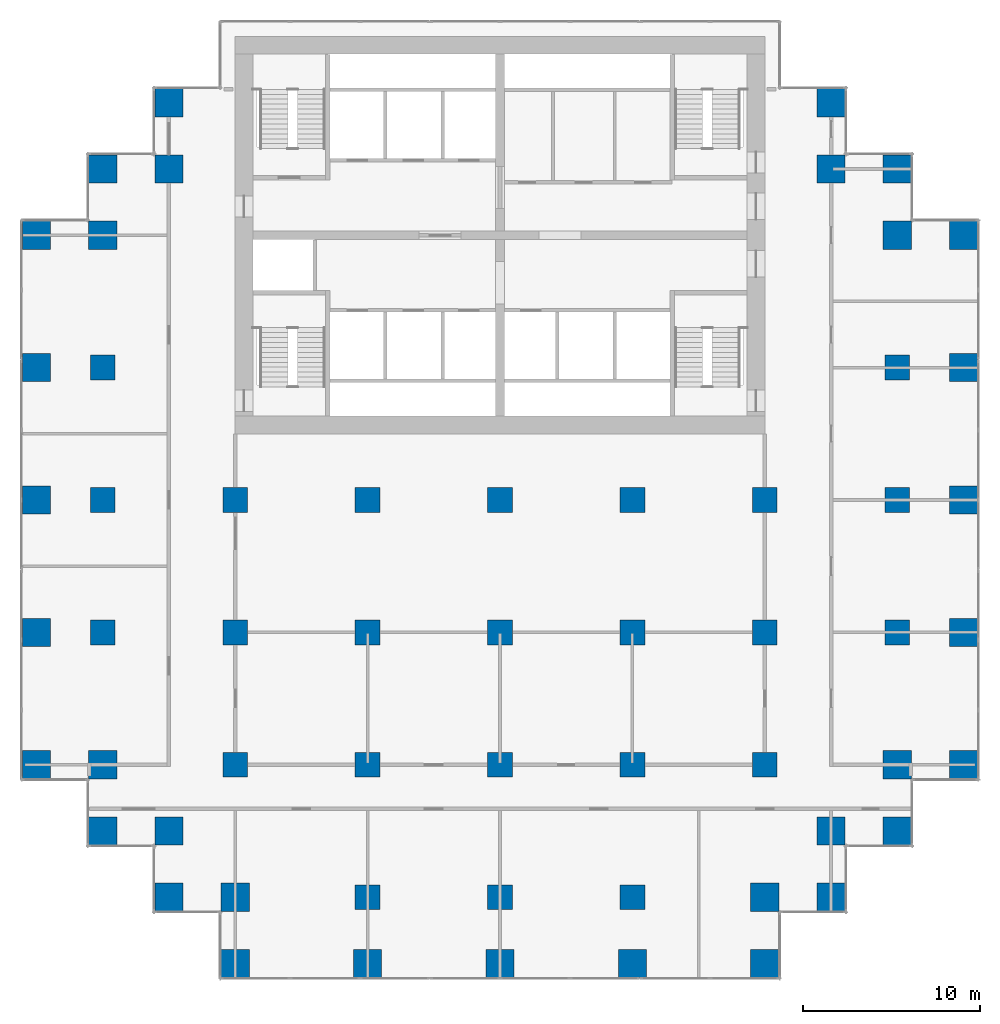
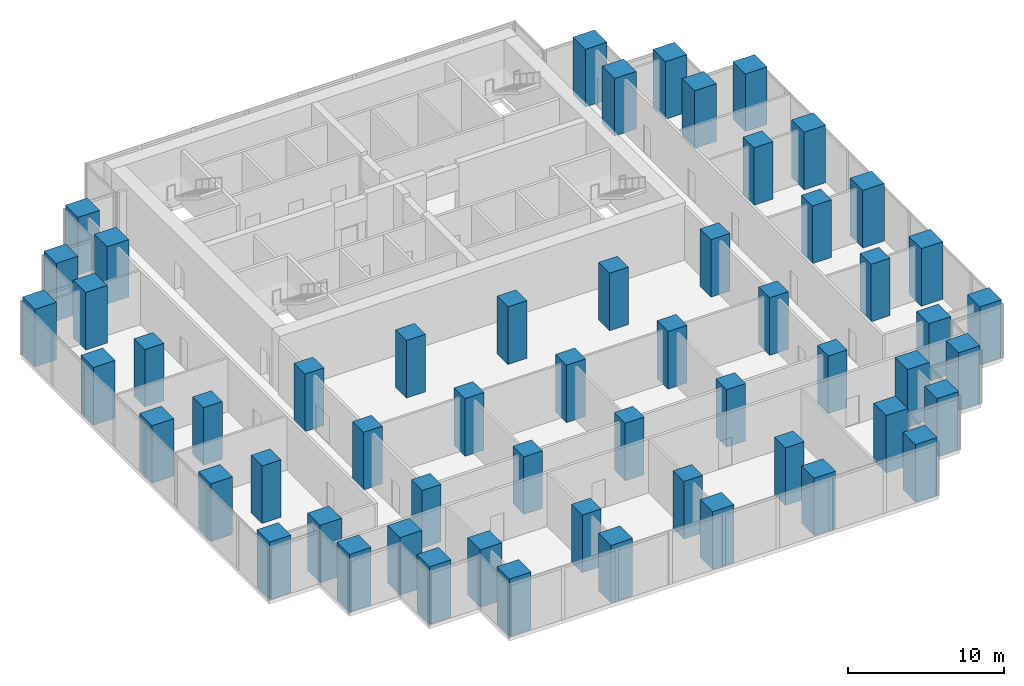
# One storey, part 1 of 10: 57 columns.
"""IFC4 building model written with IfcOpenShell, lengths in metres."""

from ifc_helpers import new_model, si_unit, direction, frame, origin, origin_2d, place, context, subcontext, project, spatial, rectangle, extrude, material, material_profile, profile_set, type_object, element, save


model = new_model("IFC4")

# Units and contexts
model_context = context("Model", 3, precision=1e-05, world=origin(), true_north=direction((0.0, 1.0)))
body_context = subcontext(model_context, "Body", "Model", "MODEL_VIEW")
ifc_project = project(units=[si_unit("LENGTHUNIT", "METRE"), si_unit("AREAUNIT", "SQUARE_METRE"), si_unit("VOLUMEUNIT", "CUBIC_METRE"), si_unit("PLANEANGLEUNIT", "RADIAN"), si_unit("MASSUNIT", "GRAM", prefix="KILO")], contexts=[model_context])

# Site, building, storey
site_placement = place(None, origin())
site = spatial("IfcSite", under=ifc_project, at=site_placement, CompositionType="ELEMENT")
building_placement = place(site_placement, origin())
building = spatial("IfcBuilding", under=site, at=building_placement, Name="Pilkhan Gate Tower", CompositionType="ELEMENT")
storey_placement = place(building_placement, frame((0.0, 0.0, 35.0)))
storey = spatial("IfcBuildingStorey", under=building, at=storey_placement, Name="L05", CompositionType="ELEMENT", Elevation=35.0)

# Columns
ifc_material = material(Name="Concrete C70/85", Category="concrete")
ifc_material_profile_1 = material_profile(ifc_material, rectangle(XDim=1.39990234375, YDim=1.39990234375, at=origin_2d()), Name="RC 1400x1400")
ifc_profile_set_1 = profile_set([ifc_material_profile_1], Name="Concrete C70/85")
column_type_1 = type_object("IfcColumnType", Name="Column C140 RC 1400x1400 C70/85", PredefinedType="COLUMN", material=ifc_profile_set_1)
for number, where, z_axis, x_axis, name in (
    (1, (52.5, 60.0, 0.0), (0.0, 0.0, 1.0), (1.0, 0.0, 0.0), "Column 5/F L05"),
    (2, (52.5, 67.5, 0.0), (0.0, 0.0, 1.0), (1.0, 0.0, 0.0), "Column 5/H L05"),
    (3, (52.5, 75.0, 0.0), (0.0, 0.0, 1.0), (1.0, 0.0, 0.0), "Column 5/K L05"),
    (4, (60.0, 52.5, 0.0), (0.0, 0.0, 1.0), (1.0, 0.0, 0.0), "Column 7/D L05"),
    (5, (60.0, 60.0, 0.0), (0.0, 0.0, 1.0), (1.0, 0.0, 0.0), "Column 7/F L05"),
    (6, (60.0, 67.5, 0.0), (0.0, 0.0, 1.0), (1.0, 0.0, 0.0), "Column 7/H L05"),
    (7, (67.5, 45.0, 0.0), (0.0, 0.0, 1.0), (1.0, 0.0, 0.0), "Column 9/B L05"),
    (8, (67.5, 52.5, 0.0), (0.0, 0.0, 1.0), (1.0, 0.0, 0.0), "Column 9/D L05"),
    (9, (67.5, 60.0, 0.0), (0.0, 0.0, 1.0), (1.0, 0.0, 0.0), "Column 9/F L05"),
    (10, (67.5, 67.5, 0.0), (0.0, 0.0, 1.0), (1.0, 0.0, 0.0), "Column 9/H L05"),
    (11, (75.0, 45.0, 0.0), (0.0, 0.0, 1.0), (1.0, 0.0, 0.0), "Column 11/B L05"),
    (12, (75.0, 52.5, 0.0), (0.0, 0.0, 1.0), (1.0, 0.0, 0.0), "Column 11/D L05"),
    (13, (75.0, 60.0, 0.0), (0.0, 0.0, 1.0), (1.0, 0.0, 0.0), "Column 11/F L05"),
    (14, (75.0, 67.5, 0.0), (0.0, 0.0, 1.0), (1.0, 0.0, 0.0), "Column 11/H L05"),
    (15, (82.5, 45.0, 0.0), (0.0, 0.0, 1.0), (1.0, 0.0, 0.0), "Column 13/B L05"),
    (16, (82.5, 52.5, 0.0), (0.0, 0.0, 1.0), (1.0, 0.0, 0.0), "Column 13/D L05"),
    (17, (82.5, 60.0, 0.0), (0.0, 0.0, 1.0), (1.0, 0.0, 0.0), "Column 13/F L05"),
    (18, (82.5, 67.5, 0.0), (0.0, 0.0, 1.0), (1.0, 0.0, 0.0), "Column 13/H L05"),
    (19, (90.0, 52.5, 0.0), (0.0, 0.0, 1.0), (1.0, 0.0, 0.0), "Column 15/D L05"),
    (20, (90.0, 60.0, 0.0), (0.0, 0.0, 1.0), (1.0, 0.0, 0.0), "Column 15/F L05"),
    (21, (90.0, 67.5, 0.0), (0.0, 0.0, 1.0), (1.0, 0.0, 0.0), "Column 15/H L05"),
    (22, (97.5, 60.0, 0.0), (0.0, 0.0, 1.0), (1.0, 0.0, 0.0), "Column 17/F L05"),
    (23, (97.5, 67.5, 0.0), (0.0, 0.0, 1.0), (1.0, 0.0, 0.0), "Column 17/H L05"),
    (24, (97.5, 75.0, 0.0), (0.0, 0.0, 1.0), (1.0, 0.0, 0.0), "Column 17/K L05"),
):
    element("IfcColumn", number, at=place(storey_placement, frame(where, z_axis=z_axis, x_axis=x_axis)), inside=storey, type_object=column_type_1, Name=name, PredefinedType="COLUMN", context=body_context, shape_type="SweptSolid", body=[
        extrude(rectangle(XDim=1.39990234375, YDim=1.39990234375, at=origin_2d()), origin(), (0.0, 0.0, 1.0), 4.5),
    ])
ifc_material_profile_2 = material_profile(ifc_material, rectangle(XDim=1.60009765625, YDim=1.60009765625, at=origin_2d()), Name="RC 1600x1600")
ifc_profile_set_2 = profile_set([ifc_material_profile_2], Name="Concrete C70/85")
column_type_2 = type_object("IfcColumnType", Name="Column C160 RC 1600x1600 C70/85", PredefinedType="COLUMN", material=ifc_profile_set_2)
for number, where, z_axis, x_axis, name in (
    (25, (48.75, 52.5, 0.0), (0.0, 0.0, 1.0), (1.0, 0.0, 0.0), "Column 4/D L05"),
    (26, (48.75, 60.0, 0.0), (0.0, 0.0, 1.0), (1.0, 0.0, 0.0), "Column 4/F L05"),
    (27, (48.75, 67.5, 0.0), (0.0, 0.0, 1.0), (1.0, 0.0, 0.0), "Column 4/H L05"),
    (28, (48.75, 75.0, 0.0), (0.0, 0.0, 1.0), (1.0, 0.0, 0.0), "Column 4/K L05"),
    (29, (48.75, 82.5, 0.0), (0.0, 0.0, 1.0), (1.0, 0.0, 0.0), "Column 4/M L05"),
    (30, (52.5, 48.75, 0.0), (0.0, 0.0, 1.0), (1.0, 0.0, 0.0), "Column 5/C L05"),
    (31, (52.5, 52.5, 0.0), (0.0, 0.0, 1.0), (1.0, 0.0, 0.0), "Column 5/D L05"),
    (32, (52.5, 82.5, 0.0), (0.0, 0.0, 1.0), (1.0, 0.0, 0.0), "Column 5/M L05"),
    (33, (52.5, 86.25, 0.0), (0.0, 0.0, 1.0), (1.0, 0.0, 0.0), "Column 5/N L05"),
    (34, (56.25, 45.0, 0.0), (0.0, 0.0, 1.0), (1.0, 0.0, 0.0), "Column 6/B L05"),
    (35, (56.25, 48.75, 0.0), (0.0, 0.0, 1.0), (1.0, 0.0, 0.0), "Column 6/C L05"),
    (36, (56.25, 86.25, 0.0), (0.0, 0.0, 1.0), (1.0, 0.0, 0.0), "Column 6/N L05"),
    (37, (56.25, 90.0, 0.0), (0.0, 0.0, 1.0), (1.0, 0.0, 0.0), "Column 6/P L05"),
    (38, (60.0, 41.25, 0.0), (0.0, 0.0, 1.0), (1.0, 0.0, 0.0), "Column 7/A L05"),
    (39, (60.0, 45.0, 0.0), (0.0, 0.0, 1.0), (1.0, 0.0, 0.0), "Column 7/B L05"),
    (40, (67.5, 41.25, 0.0), (0.0, 0.0, 1.0), (1.0, 0.0, 0.0), "Column 9/A L05"),
    (41, (75.0, 41.25, 0.0), (0.0, 0.0, 1.0), (1.0, 0.0, 0.0), "Column 11/A L05"),
    (42, (82.5, 41.25, 0.0), (0.0, 0.0, 1.0), (1.0, 0.0, 0.0), "Column 13/A L05"),
    (43, (90.0, 41.25, 0.0), (0.0, 0.0, 1.0), (1.0, 0.0, 0.0), "Column 15/A L05"),
    (44, (90.0, 45.0, 0.0), (0.0, 0.0, 1.0), (1.0, 0.0, 0.0), "Column 15/B L05"),
    (45, (93.75, 45.0, 0.0), (0.0, 0.0, 1.0), (1.0, 0.0, 0.0), "Column 16/B L05"),
    (46, (93.75, 48.75, 0.0), (0.0, 0.0, 1.0), (1.0, 0.0, 0.0), "Column 16/C L05"),
    (47, (93.75, 86.25, 0.0), (0.0, 0.0, 1.0), (1.0, 0.0, 0.0), "Column 16/N L05"),
    (48, (93.75, 90.0, 0.0), (0.0, 0.0, 1.0), (1.0, 0.0, 0.0), "Column 16/P L05"),
    (49, (97.5, 48.75, 0.0), (0.0, 0.0, 1.0), (1.0, 0.0, 0.0), "Column 17/C L05"),
    (50, (97.5, 52.5, 0.0), (0.0, 0.0, 1.0), (1.0, 0.0, 0.0), "Column 17/D L05"),
    (51, (97.5, 82.5, 0.0), (0.0, 0.0, 1.0), (1.0, 0.0, 0.0), "Column 17/M L05"),
    (52, (97.5, 86.25, 0.0), (0.0, 0.0, 1.0), (1.0, 0.0, 0.0), "Column 17/N L05"),
    (53, (101.25, 52.5, 0.0), (0.0, 0.0, 1.0), (1.0, 0.0, 0.0), "Column 18/D L05"),
    (54, (101.25, 60.0, 0.0), (0.0, 0.0, 1.0), (1.0, 0.0, 0.0), "Column 18/F L05"),
    (55, (101.25, 67.5, 0.0), (0.0, 0.0, 1.0), (1.0, 0.0, 0.0), "Column 18/H L05"),
    (56, (101.25, 75.0, 0.0), (0.0, 0.0, 1.0), (1.0, 0.0, 0.0), "Column 18/K L05"),
    (57, (101.25, 82.5, 0.0), (0.0, 0.0, 1.0), (1.0, 0.0, 0.0), "Column 18/M L05"),
):
    element("IfcColumn", number, at=place(storey_placement, frame(where, z_axis=z_axis, x_axis=x_axis)), inside=storey, type_object=column_type_2, Name=name, PredefinedType="COLUMN", context=body_context, shape_type="SweptSolid", body=[
        extrude(rectangle(XDim=1.60009765625, YDim=1.60009765625, at=origin_2d()), origin(), (0.0, 0.0, 1.0), 4.5),
    ])

save(model, "model.ifc")
